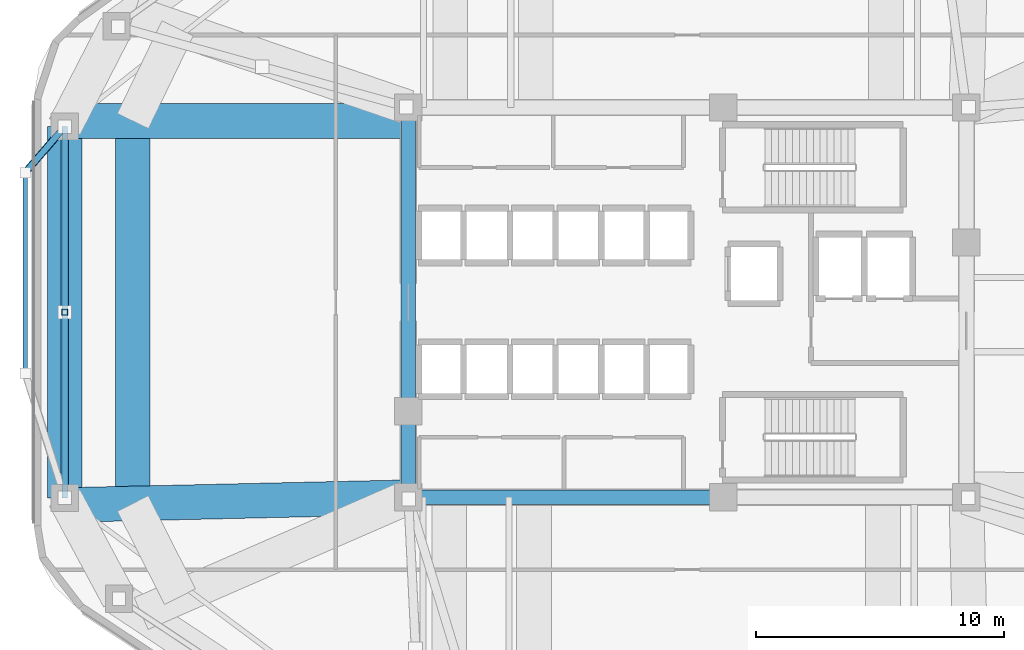
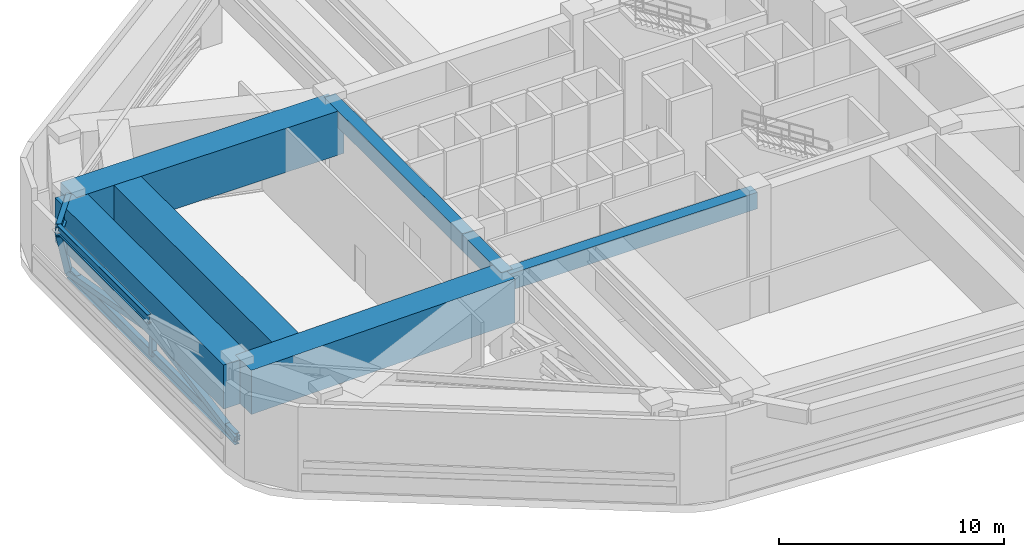
# One storey, part 3 of 12: 9 beams, 5 members.
"""IFC4 building model written with IfcOpenShell, lengths in metres."""

from ifc_helpers import new_model, si_unit, direction, frame, origin, origin_2d, place, context, subcontext, project, spatial, rectangle, hollow_rectangle, i_section, extrude, material, material_profile, profile_set, type_object, element, save


model = new_model("IFC4")

# Units and contexts
model_context = context("Model", 3, precision=1e-05, world=origin(), true_north=direction((0.0, 1.0)))
body_context = subcontext(model_context, "Body", "Model", "MODEL_VIEW")
ifc_project = project(units=[si_unit("LENGTHUNIT", "METRE"), si_unit("AREAUNIT", "SQUARE_METRE"), si_unit("VOLUMEUNIT", "CUBIC_METRE"), si_unit("PLANEANGLEUNIT", "RADIAN"), si_unit("MASSUNIT", "GRAM", prefix="KILO")], contexts=[model_context])

# Site, building, storey
site_placement = place(None, origin())
site = spatial("IfcSite", under=ifc_project, at=site_placement, CompositionType="ELEMENT")
building_placement = place(site_placement, origin())
building = spatial("IfcBuilding", under=site, at=building_placement, Name="Zulverin Broadcast Headquarters", CompositionType="ELEMENT")
storey_placement = place(building_placement, frame((0.0, 0.0, 120.0)))
storey = spatial("IfcBuildingStorey", under=building, at=storey_placement, Name="L30", CompositionType="ELEMENT", Elevation=120.0)

# Beams
ifc_material_1 = material(Name="Concrete C60/75", Category="concrete")
ifc_material_profile_1 = material_profile(ifc_material_1, rectangle(XDim=0.60009765625, YDim=0.89990234375, at=origin_2d()), Name="Concrete C60/75", Category="concrete")
ifc_profile_set_1 = profile_set([ifc_material_profile_1], Name="Concrete C60/75")
beam_type_1 = type_object("IfcBeamType", Name="BM-CB-600x900", PredefinedType="LINTEL", material=ifc_profile_set_1)
beam_1_placement = place(storey_placement, frame((25.72509765625, 17.324951171875, 4.14990234375), z_axis=(1.0, 0.0, 0.0), x_axis=(0.0, 1.0, 0.0)))
element("IfcBeam", 1, at=beam_1_placement, inside=storey, type_object=beam_type_1, Name="L30 Core Coupling Girder K01-K02", PredefinedType="LINTEL", context=body_context, shape_type="SweptSolid", body=[
    extrude(rectangle(XDim=0.60009765625, YDim=0.89990234375, at=origin_2d()), origin(), (0.0, 0.0, 1.0), 12.724853515625),
])
beam_2_placement = place(storey_placement, frame((25.72509765625, 33.074951171875, 4.14990234375), z_axis=(0.0, -1.0, 0.0), x_axis=(1.0, 0.0, 0.0)))
element("IfcBeam", 2, at=beam_2_placement, inside=storey, type_object=beam_type_1, Name="L30 Core Coupling Girder K07-K08", PredefinedType="LINTEL", context=body_context, shape_type="SweptSolid", body=[
    extrude(rectangle(XDim=0.60009765625, YDim=0.89990234375, at=origin_2d()), origin(), (0.0, 0.0, 1.0), 12.27490234375),
])
beam_3_placement = place(storey_placement, frame((25.72509765625, 20.800048828125, 4.14990234375), z_axis=(0.0, -1.0, 0.0), x_axis=(1.0, 0.0, 0.0)))
element("IfcBeam", 3, at=beam_3_placement, inside=storey, type_object=beam_type_1, Name="L30 Core Coupling Girder K08-K01", PredefinedType="LINTEL", context=body_context, shape_type="SweptSolid", body=[
    extrude(rectangle(XDim=0.60009765625, YDim=0.89990234375, at=origin_2d()), origin(), (0.0, 0.0, 1.0), 3.47509765625),
])
ifc_material_profile_2 = material_profile(ifc_material_1, rectangle(XDim=1.39990234375, YDim=2.39990234375, at=origin_2d()), Name="Concrete C60/75", Category="concrete")
ifc_profile_set_2 = profile_set([ifc_material_profile_2], Name="Concrete C60/75")
beam_type_2 = type_object("IfcBeamType", Name="BM-TG-1400x2400", PredefinedType="USERDEFINED", material=ifc_profile_set_2)
beam_4_placement = place(storey_placement, frame((11.85009765625, 32.298095703125, 3.39990234375), z_axis=(0.0, -1.0, 0.0), x_axis=(1.0, 0.0, 0.0)))
element("IfcBeam", 4, at=beam_4_placement, inside=storey, type_object=beam_type_2, Name="L30 Perimeter Transfer Ring Girder SP-13", ObjectType="TRANSFER GIRDER", PredefinedType="USERDEFINED", context=body_context, shape_type="SweptSolid", body=[
    extrude(rectangle(XDim=1.39990234375, YDim=2.39990234375, at=origin_2d()), origin(), (0.0, 0.0, 1.0), 15.00048828125),
])
beam_5_placement = place(storey_placement, frame((25.72509765625, 32.523193359375, 3.39990234375), z_axis=(-1.0, 0.0, 0.0), x_axis=(0.0, -1.0, 0.0)))
element("IfcBeam", 5, at=beam_5_placement, inside=storey, type_object=beam_type_2, Name="L31 Step Transfer Girder TG-13", ObjectType="TRANSFER GIRDER", PredefinedType="USERDEFINED", context=body_context, shape_type="SweptSolid", body=[
    extrude(rectangle(XDim=1.39990234375, YDim=2.39990234375, at=origin_2d()), origin(), (0.0, 0.0, 1.0), 13.759521484375),
])
beam_6_placement = place(storey_placement, frame((14.60009765625, 32.523193359375, 3.39990234375), z_axis=(0.0, -1.0, 0.0), x_axis=(1.0, 0.0, 0.0)))
element("IfcBeam", 6, at=beam_6_placement, inside=storey, type_object=beam_type_2, Name="L31 Step Transfer Ring Girder TGR-13", ObjectType="TRANSFER GIRDER", PredefinedType="USERDEFINED", context=body_context, shape_type="SweptSolid", body=[
    extrude(rectangle(XDim=1.39990234375, YDim=2.39990234375, at=origin_2d()), origin(), (0.0, 0.0, 1.0), 15.451171875),
])
beam_7_placement = place(storey_placement, frame((25.72509765625, 17.324951171875, 3.39990234375), z_axis=(-0.999741201554, -0.02274928384, 0.0), x_axis=(0.02274928384, -0.999741201554, 0.0)))
element("IfcBeam", 7, at=beam_7_placement, inside=storey, type_object=beam_type_2, Name="L31 Step Transfer Girder TG-14", ObjectType="TRANSFER GIRDER", PredefinedType="USERDEFINED", context=body_context, shape_type="SweptSolid", body=[
    extrude(rectangle(XDim=1.39990234375, YDim=2.39990234375, at=origin_2d()), origin(), (0.0, 0.0, 1.0), 13.72607421875),
])
ifc_material_2 = material(Name="Structural steel S355JR", Category="steel")
ifc_material_profile_3 = material_profile(ifc_material_2, i_section(OverallWidth=0.19287109375, OverallDepth=0.46728515625, WebThickness=0.011474609375, FlangeThickness=0.01953125, at=origin_2d()), Name="Structural steel S355JR", Category="steel")
ifc_profile_set_3 = profile_set([ifc_material_profile_3], Name="Structural steel S355JR")
beam_type_3 = type_object("IfcBeamType", Name="BM-UB-457", PredefinedType="JOIST", material=ifc_profile_set_3)
beam_8_placement = place(storey_placement, frame((10.25, 22.340087890625, 4.366455078125), z_axis=(0.0, 1.0, 0.0), x_axis=(-1.0, 0.0, 0.0)))
element("IfcBeam", 8, at=beam_8_placement, inside=storey, type_object=beam_type_3, Name="L31 Studio Box Base Edge Beam SBOX_SKY1_W", PredefinedType="JOIST", context=body_context, shape_type="SweptSolid", body=[
    extrude(i_section(OverallWidth=0.19287109375, OverallDepth=0.46728515625, WebThickness=0.011474609375, FlangeThickness=0.01953125, at=origin_2d()), origin(), (0.0, 0.0, 1.0), 8.099853515625),
])
ifc_material_profile_4 = material_profile(ifc_material_2, i_section(OverallWidth=0.255859375, OverallDepth=0.69287109375, WebThickness=0.014404296875, FlangeThickness=0.023681640625, at=origin_2d()), Name="Structural steel S355JR", Category="steel")
ifc_profile_set_4 = profile_set([ifc_material_profile_4], Name="Structural steel S355JR")
beam_type_4 = type_object("IfcBeamType", Name="BM-UB-686", PredefinedType="BEAM", material=ifc_profile_set_4)
beam_9_placement = place(storey_placement, frame((11.85009765625, 32.298095703125, 4.25341796875), z_axis=(-0.652527899491, -0.757764699881, 0.0), x_axis=(0.757764699881, -0.652527899491, 0.0)))
element("IfcBeam", 9, at=beam_9_placement, inside=storey, type_object=beam_type_4, Name="L31 Studio Box Base Cantilever Girder SBOX_SKY1_W-2", PredefinedType="BEAM", context=body_context, shape_type="SweptSolid", body=[
    extrude(i_section(OverallWidth=0.255859375, OverallDepth=0.69287109375, WebThickness=0.014404296875, FlangeThickness=0.023681640625, at=origin_2d()), origin(), (0.0, 0.0, 1.0), 2.4521484375),
])

# Members
ifc_material_profile_5 = material_profile(ifc_material_2, i_section(OverallWidth=0.230224609375, OverallDepth=0.6171875, WebThickness=0.01318359375, FlangeThickness=0.022216796875, at=origin_2d()), Name="Structural steel S355JR", Category="steel")
ifc_profile_set_5 = profile_set([ifc_material_profile_5], Name="Structural steel S355JR")
member_type_1 = type_object("IfcMemberType", Name="MBR-BLT-CHORD", PredefinedType="CHORD", material=ifc_profile_set_5)
member_1_placement = place(storey_placement, frame((11.85009765625, 32.298095703125, 0.35009765625), z_axis=(0.0, -1.0, 0.0), x_axis=(1.0, 0.0, 0.0)))
element("IfcMember", 10, at=member_1_placement, inside=storey, type_object=member_type_1, Name="L30 Belt Truss Bottom Chord BC-07", PredefinedType="CHORD", context=body_context, shape_type="SweptSolid", body=[
    extrude(i_section(OverallWidth=0.230224609375, OverallDepth=0.6171875, WebThickness=0.01318359375, FlangeThickness=0.022216796875, at=origin_2d()), origin(), (0.0, 0.0, 1.0), 15.00048828125),
])
ifc_material_profile_6 = material_profile(ifc_material_2, hollow_rectangle(XDim=0.300048828125, YDim=0.300048828125, WallThickness=0.01611328125, at=origin_2d()), Name="Structural steel S355JR", Category="steel")
ifc_profile_set_6 = profile_set([ifc_material_profile_6], Name="Structural steel S355JR")
member_type_2 = type_object("IfcMemberType", Name="MBR-BLT-DIAG1", PredefinedType="BRACE", material=ifc_profile_set_6)
member_2_placement = place(storey_placement, frame((11.85009765625, 32.298095703125, 0.35009765625), z_axis=(-0.344165410092, -0.399670878275, 0.849595997846), x_axis=(0.757764699881, -0.652527899491, 0.0)))
element("IfcMember", 11, at=member_2_placement, inside=storey, type_object=member_type_2, Name="L31 Studio Box Base Knee Brace SBOX_SKY1_W-2", PredefinedType="BRACE", context=body_context, shape_type="SweptSolid", body=[
    extrude(hollow_rectangle(XDim=0.300048828125, YDim=0.300048828125, WallThickness=0.01611328125, at=origin_2d()), origin(), (0.0, 0.0, 1.0), 4.649169921875),
])
for number, where, z_axis, x_axis, name in (
    (12, (11.85009765625, 32.298095703125, 0.35009765625), (0.0, -0.984642555382, 0.174582467992), (1.0, 0.0, 0.0), "L30 Belt Truss Diagonal Brace BD-07A"),
    (13, (11.85009765625, 17.297607421875, 0.35009765625), (0.0, 0.984642555382, 0.174582467992), (-1.0, 0.0, 0.0), "L30 Belt Truss Diagonal Brace BD-07B"),
):
    element("IfcMember", number, at=place(storey_placement, frame(where, z_axis=z_axis, x_axis=x_axis)), inside=storey, type_object=member_type_2, Name=name, PredefinedType="BRACE", context=body_context, shape_type="SweptSolid", body=[
        extrude(hollow_rectangle(XDim=0.300048828125, YDim=0.300048828125, WallThickness=0.01611328125, at=origin_2d()), origin(), (0.0, 0.0, 1.0), 7.6171875),
    ])
ifc_material_profile_7 = material_profile(ifc_material_2, hollow_rectangle(XDim=0.25, YDim=0.25, WallThickness=0.01611328125, at=origin_2d()), Name="Structural steel S355JR", Category="steel")
ifc_profile_set_7 = profile_set([ifc_material_profile_7], Name="Structural steel S355JR")
member_type_3 = type_object("IfcMemberType", Name="MBR-BLT-POST", PredefinedType="POST", material=ifc_profile_set_7)
member_3_placement = place(storey_placement, frame((11.85009765625, 24.7978515625, 0.35009765625), z_axis=(0.0, 0.0, 1.0), x_axis=(1.0, 0.0, 0.0)))
element("IfcMember", 14, at=member_3_placement, inside=storey, type_object=member_type_3, Name="L30 Belt Truss King Post BP-07", PredefinedType="POST", context=body_context, shape_type="SweptSolid", body=[
    extrude(hollow_rectangle(XDim=0.25, YDim=0.25, WallThickness=0.01611328125, at=origin_2d()), origin(), (0.0, 0.0, 1.0), 1.329833984375),
])

save(model, "model.ifc")
